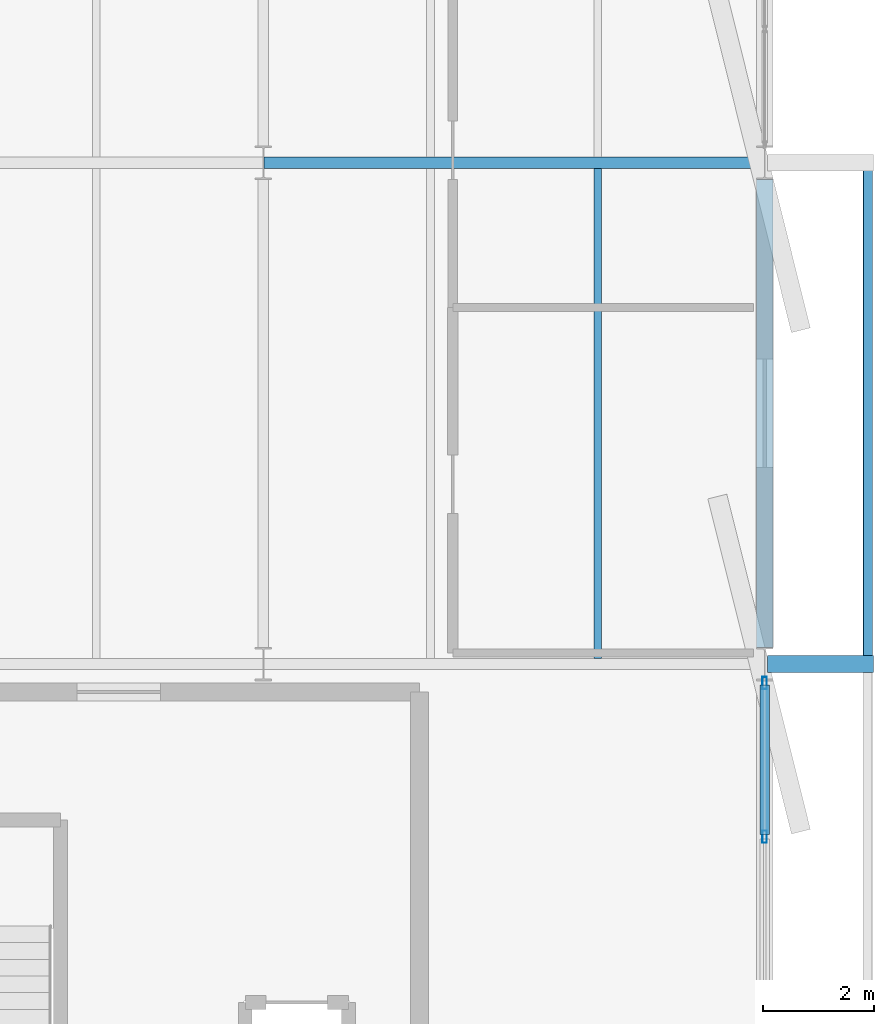
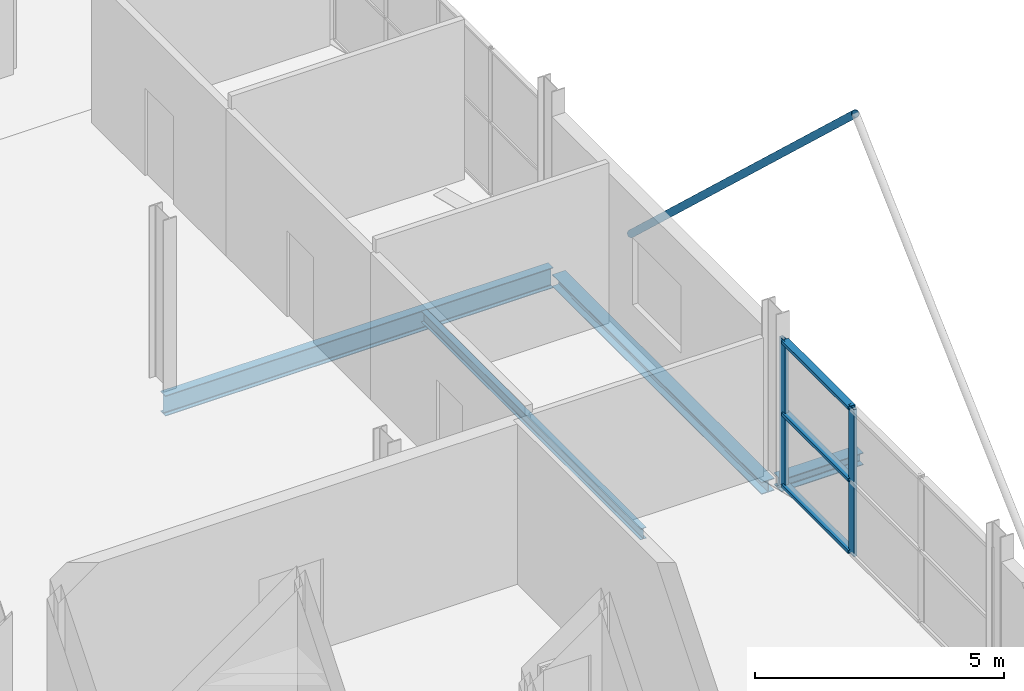
# One storey, part 52 of 103: 6 members, 4 beams, 1 element without a shape of its own.
"""IFC4 building model written with IfcOpenShell, lengths in metres."""

from ifc_helpers import new_model, si_unit, direction, frame, origin, origin_2d, place, context, subcontext, project, spatial, hollow_rectangle, hollow_circle, i_section, extrude, material, layer, layer_set, material_profile, profile_set, type_object, element, aggregate, save


model = new_model("IFC4")

# Units and contexts
model_context = context("Model", 3, precision=1e-05, world=origin(), true_north=direction((0.0, 1.0)))
body_context = subcontext(model_context, "Body", "Model", "MODEL_VIEW")
ifc_project = project(units=[si_unit("LENGTHUNIT", "METRE"), si_unit("AREAUNIT", "SQUARE_METRE"), si_unit("VOLUMEUNIT", "CUBIC_METRE"), si_unit("PLANEANGLEUNIT", "RADIAN"), si_unit("MASSUNIT", "GRAM", prefix="KILO")], contexts=[model_context])

# Site, building, storey
site_placement = place(None, origin())
site = spatial("IfcSite", under=ifc_project, at=site_placement, CompositionType="ELEMENT")
building_placement = place(site_placement, origin())
building = spatial("IfcBuilding", under=site, at=building_placement, Name="Deido Ridge Mobility Hub", CompositionType="ELEMENT")
storey_placement = place(building_placement, frame((0.0, 0.0, 12.60009765625)))
storey = spatial("IfcBuildingStorey", under=building, at=storey_placement, Name="L03", CompositionType="ELEMENT", Elevation=12.60009765625)

# Beams
ifc_material_1 = material(Name="Steel S355J2 EN 10025-2", Category="steel")
ifc_material_profile_1 = material_profile(ifc_material_1, i_section(OverallWidth=0.199951171875, OverallDepth=0.5, WebThickness=0.01025390625, FlangeThickness=0.01611328125, FilletRadius=0.02099609375, at=origin_2d()), Name="IPE 500")
ifc_profile_set_1 = profile_set([ifc_material_profile_1], Name="Steel S355J2 EN 10025-2")
beam_type_1 = type_object("IfcBeamType", Name="BM-IPE500", PredefinedType="BEAM", material=ifc_profile_set_1)
beam_1_placement = place(storey_placement, frame((171.0078125, 27.0, -0.51513671875), z_axis=(1.0, 0.0, 0.0), x_axis=(0.0, 1.0, 0.0)))
element("IfcBeam", 1, at=beam_1_placement, inside=storey, type_object=beam_type_1, Name="Floor beam B3", PredefinedType="BEAM", context=body_context, shape_type="SweptSolid", body=[
    extrude(i_section(OverallWidth=0.199951171875, OverallDepth=0.5, WebThickness=0.01025390625, FlangeThickness=0.01611328125, FilletRadius=0.02099609375, at=origin_2d()), origin(), (0.0, 0.0, 1.0), 8.984375),
])
ifc_material_profile_2 = material_profile(ifc_material_1, i_section(OverallWidth=0.135009765625, OverallDepth=0.27001953125, WebThickness=0.006591796875, FlangeThickness=0.01025390625, FilletRadius=0.014892578125, at=origin_2d()), Name="IPE 270")
ifc_profile_set_2 = profile_set([ifc_material_profile_2], Name="Steel S355J2 EN 10025-2")
beam_type_2 = type_object("IfcBeamType", Name="JST-IPE270", PredefinedType="JOIST", material=ifc_profile_set_2)
beam_2_placement = place(storey_placement, frame((177.0, 18.10009765625, -0.400146484375), z_axis=(0.0, 1.0, 0.0), x_axis=(-1.0, 0.0, 0.0)))
element("IfcBeam", 2, at=beam_2_placement, inside=storey, type_object=beam_type_2, Name="Composite joist J4", PredefinedType="JOIST", context=body_context, shape_type="SweptSolid", body=[
    extrude(i_section(OverallWidth=0.135009765625, OverallDepth=0.27001953125, WebThickness=0.006591796875, FlangeThickness=0.01025390625, FilletRadius=0.014892578125, at=origin_2d()), origin(), (0.0, 0.0, 1.0), 8.7998046875),
])

# Curtain wall, members
ifc_material_2 = material(Name="Anodised aluminium EN AW-6063 T6", Category="aluminium")
ifc_layer = layer(ifc_material_2, 0.2548828125, Name="Anodised aluminium EN AW-6063 T6")
ifc_layer_set = layer_set([ifc_layer], Name="Anodised aluminium EN AW-6063 T6")
curtain_wall_type = type_object("IfcCurtainWallType", Name="CW-UF-7", PredefinedType="USERDEFINED", material=ifc_layer_set)
curtain_wall_placement = place(storey_placement, origin())
curtain_wall = element("IfcCurtainWall", 3, at=curtain_wall_placement, inside=storey, type_object=curtain_wall_type, Name="Unitised curtain wall CW7", ObjectType="UNITISED FACADE", PredefinedType="USERDEFINED")
ifc_material_profile_3 = material_profile(ifc_material_2, hollow_rectangle(XDim=0.080078125, YDim=0.219970703125, WallThickness=0.00390625, at=origin_2d()), Name="RHS 80x220x4")
ifc_profile_set_3 = profile_set([ifc_material_profile_3], Name="Anodised aluminium EN AW-6063 T6")
member_type_1 = type_object("IfcMemberType", Name="MEM-MUL-80X220", PredefinedType="MULLION", material=ifc_profile_set_3)
member_1_placement = place(storey_placement, frame((180.0, 14.89990234375, 0.0), z_axis=(0.0, 0.0, 1.0), x_axis=(-1.0, 0.0, 0.0)))
member_1 = element("IfcMember", 4, at=member_1_placement, type_object=member_type_1, Name="CW7 mullion 3", PredefinedType="MULLION", context=body_context, shape_type="SweptSolid", body=[
    extrude(hollow_rectangle(XDim=0.080078125, YDim=0.219970703125, WallThickness=0.00390625, at=origin_2d()), origin(), (0.0, 0.0, 1.0), 3.599853515625),
])
member_2_placement = place(storey_placement, frame((180.0, 17.659912109375, 0.0), z_axis=(0.0, 0.0, 1.0), x_axis=(-1.0, 0.0, 0.0)))
member_2 = element("IfcMember", 5, at=member_2_placement, type_object=member_type_1, Name="CW7 mullion 4", PredefinedType="MULLION", context=body_context, shape_type="SweptSolid", body=[
    extrude(hollow_rectangle(XDim=0.080078125, YDim=0.219970703125, WallThickness=0.00390625, at=origin_2d()), origin(), (0.0, 0.0, 1.0), 3.599853515625),
])

# Member
ifc_material_3 = material(Name="Steel S355J2H EN 10210-1", Category="steel")
ifc_material_profile_4 = material_profile(ifc_material_3, hollow_circle(Radius=0.084228515625, WallThickness=0.008056640625, at=origin_2d()), Name="CHS 168.3x8")
ifc_profile_set_4 = profile_set([ifc_material_profile_4], Name="Steel S355J2H EN 10210-1")
member_type_2 = type_object("IfcMemberType", Name="MEM-STR-CHS168", PredefinedType="STRUT", material=ifc_profile_set_4)
member_3_placement = place(storey_placement, frame((181.85009765625, 27.0, -0.150146484375), z_axis=(0.0, -0.731049333052, 0.682324609438), x_axis=(1.0, 0.0, 0.0)))
element("IfcMember", 6, at=member_3_placement, inside=storey, type_object=member_type_2, Name="Deconstructivist facade diagrid strut SR1", PredefinedType="STRUT", context=body_context, shape_type="SweptSolid", body=[
    extrude(hollow_circle(Radius=0.084228515625, WallThickness=0.008056640625, at=origin_2d()), origin(), (0.0, 0.0, 1.0), 12.31103515625),
])

ifc_material_profile_5 = material_profile(ifc_material_2, hollow_rectangle(XDim=0.1650390625, YDim=0.080078125, WallThickness=0.00390625, at=origin_2d()), Name="RHS 165x80x4")
ifc_profile_set_5 = profile_set([ifc_material_profile_5], Name="Anodised aluminium EN AW-6063 T6")
member_type_3 = type_object("IfcMemberType", Name="MEM-TRN-165X80", PredefinedType="USERDEFINED", material=ifc_profile_set_5)
member_4_placement = place(storey_placement, frame((180.0, 14.93994140625, 0.039794921875), z_axis=(0.0, 1.0, 0.0), x_axis=(-1.0, 0.0, 0.0)))
member_4 = element("IfcMember", 7, at=member_4_placement, type_object=member_type_3, Name="CW7 transom 3.1", ObjectType="TRANSOM", PredefinedType="USERDEFINED", context=body_context, shape_type="SweptSolid", body=[
    extrude(hollow_rectangle(XDim=0.1650390625, YDim=0.080078125, WallThickness=0.00390625, at=origin_2d()), origin(), (0.0, 0.0, 1.0), 2.68017578125),
])

member_5_placement = place(storey_placement, frame((180.0, 14.93994140625, 1.7998046875), z_axis=(0.0, 1.0, 0.0), x_axis=(-1.0, 0.0, 0.0)))
member_5 = element("IfcMember", 8, at=member_5_placement, type_object=member_type_3, Name="CW7 transom 3.2", ObjectType="TRANSOM", PredefinedType="USERDEFINED", context=body_context, shape_type="SweptSolid", body=[
    extrude(hollow_rectangle(XDim=0.1650390625, YDim=0.080078125, WallThickness=0.00390625, at=origin_2d()), origin(), (0.0, 0.0, 1.0), 2.68017578125),
])

member_6_placement = place(storey_placement, frame((180.0, 14.93994140625, 3.559814453125), z_axis=(0.0, 1.0, 0.0), x_axis=(-1.0, 0.0, 0.0)))
member_6 = element("IfcMember", 9, at=member_6_placement, type_object=member_type_3, Name="CW7 transom 3.3", ObjectType="TRANSOM", PredefinedType="USERDEFINED", context=body_context, shape_type="SweptSolid", body=[
    extrude(hollow_rectangle(XDim=0.1650390625, YDim=0.080078125, WallThickness=0.00390625, at=origin_2d()), origin(), (0.0, 0.0, 1.0), 2.68017578125),
])

aggregate(curtain_wall, [member_1, member_2, member_4, member_5, member_6])

# Beams
ifc_material_profile_6 = material_profile(ifc_material_1, i_section(OverallWidth=0.300048828125, OverallDepth=0.300048828125, WebThickness=0.010986328125, FlangeThickness=0.01904296875, FilletRadius=0.027099609375, at=origin_2d()), Name="HEB 300")
ifc_profile_set_6 = profile_set([ifc_material_profile_6], Name="Steel S355J2 EN 10025-2")
beam_type_3 = type_object("IfcBeamType", Name="SPD-HEB300", PredefinedType="SPANDREL", material=ifc_profile_set_6)
beam_3_placement = place(storey_placement, frame((180.0, 18.300048828125, -0.4150390625), z_axis=(0.0, 1.0, 0.0), x_axis=(-1.0, 0.0, 0.0)))
element("IfcBeam", 10, at=beam_3_placement, inside=storey, type_object=beam_type_3, Name="Floor beam SP1", PredefinedType="SPANDREL", context=body_context, shape_type="SweptSolid", body=[
    extrude(i_section(OverallWidth=0.300048828125, OverallDepth=0.300048828125, WebThickness=0.010986328125, FlangeThickness=0.01904296875, FilletRadius=0.027099609375, at=origin_2d()), origin(), (0.0, 0.0, 1.0), 8.39990234375),
])
beam_4_placement = place(storey_placement, frame((180.050048828125, 18.0, -0.150146484375), z_axis=(1.0, 0.0, 0.0), x_axis=(0.0, 1.0, 0.0)))
element("IfcBeam", 11, at=beam_4_placement, inside=storey, type_object=beam_type_3, Name="Exoskeleton outrigger beam SP1", PredefinedType="SPANDREL", context=body_context, shape_type="SweptSolid", body=[
    extrude(i_section(OverallWidth=0.300048828125, OverallDepth=0.300048828125, WebThickness=0.010986328125, FlangeThickness=0.01904296875, FilletRadius=0.027099609375, at=origin_2d()), origin(), (0.0, 0.0, 1.0), 1.89990234375),
])

save(model, "model.ifc")
